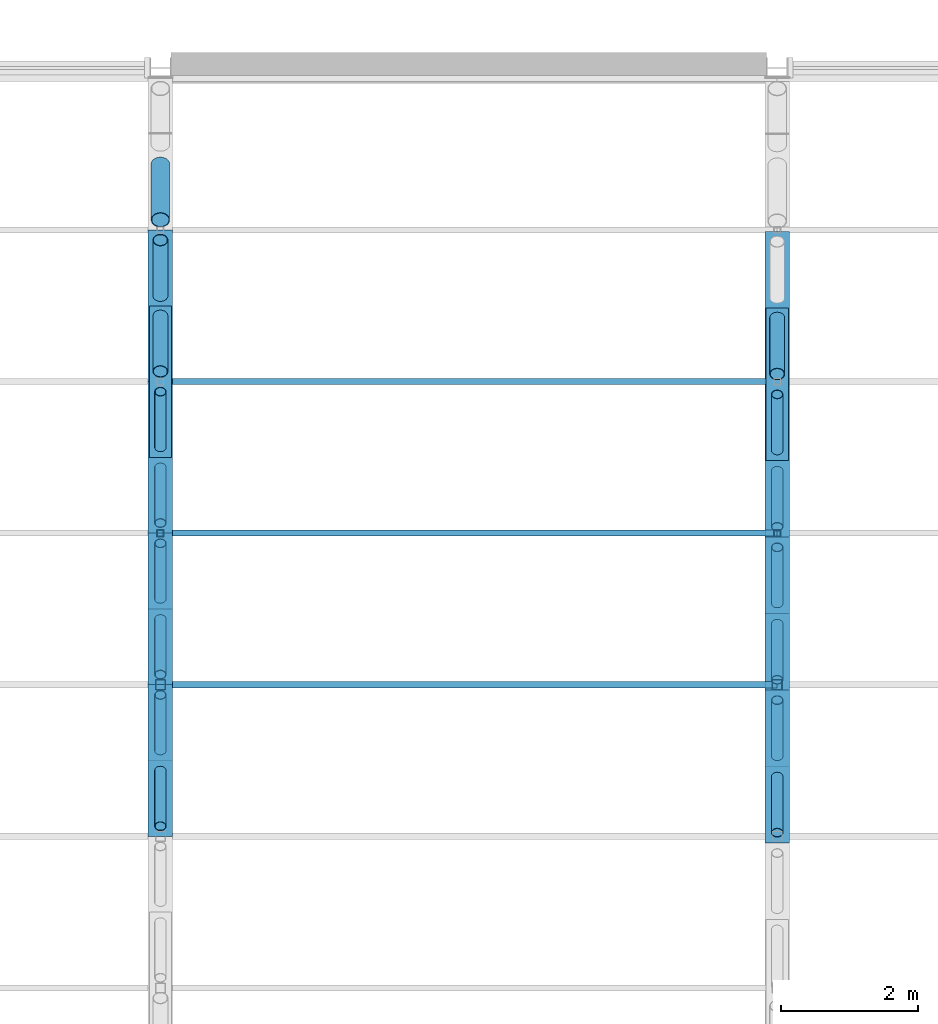
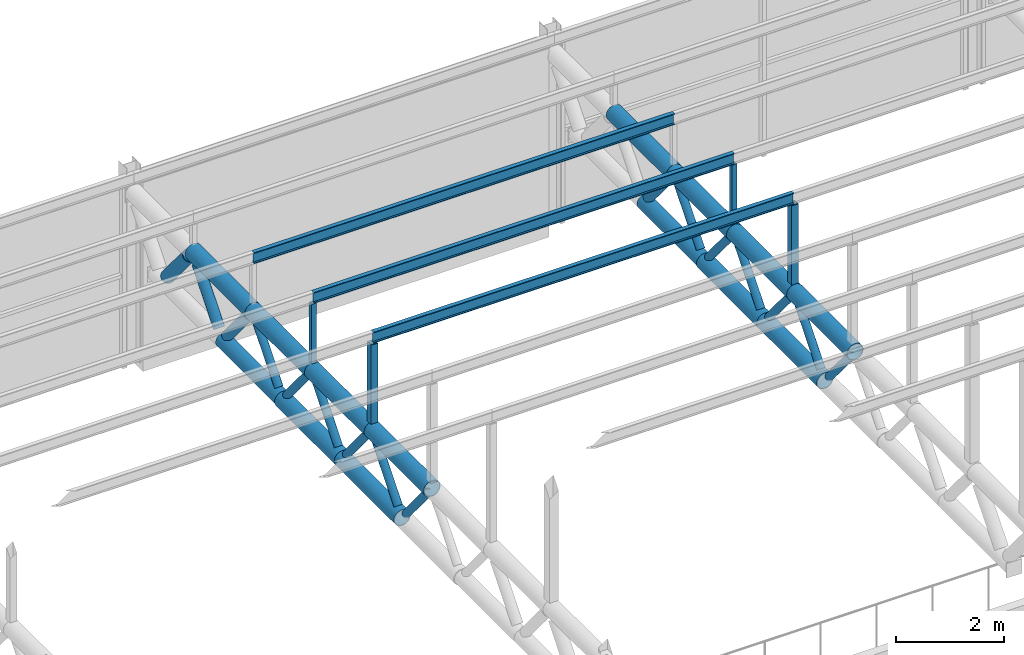
# One storey, part 35 of 138: 37 members.
"""IFC4 building model written with IfcOpenShell, lengths in metres."""

import ifcopenshell
import ifcopenshell.guid

model = None  # the IFC model being written
_history = None  # IfcOwnerHistory: only IFC2X3 demands one
_inside = {}  # id of a spatial element -> (the spatial element, [elements in it])
_under = {}  # id of a project, library or spatial element -> (it, [spatial elements below it])
_declared = {}  # id of a project -> (the project, [libraries it declares])
_typed = {}  # id of a type object -> (the type object, [elements of that type])
_made_of = {}  # id of a material, layer set ... -> (it, [elements and type objects made of it])


def new_model(schema):
    """Start an empty IFC model of exactly this schema.

    Asked for "IFC4X3", IfcOpenShell would pick the latest addendum, in which some entities
    have other attributes; the version numbers below select the first issue.
    IFC2X3 requires an IfcOwnerHistory on every rooted entity: one is made here for all.
    """
    global model, _history
    if schema == "IFC4X3":
        model = ifcopenshell.file(schema_version=(4, 3, 0, 0))
    else:
        model = ifcopenshell.file(schema=schema)
    _inside.clear()
    _under.clear()
    _declared.clear()
    _typed.clear()
    _made_of.clear()
    _history = None
    if model.schema == "IFC2X3":
        org = make("IfcOrganization", Name="unknown")
        user = make(
            "IfcPersonAndOrganization",
            ThePerson=make("IfcPerson", FamilyName="unknown"),
            TheOrganization=org,
        )
        app = make(
            "IfcApplication",
            ApplicationDeveloper=org,
            Version="unknown",
            ApplicationFullName="unknown",
            ApplicationIdentifier="unknown",
        )
        _history = make(
            "IfcOwnerHistory",
            OwningUser=user,
            OwningApplication=app,
            ChangeAction="ADDED",
            CreationDate=0,
        )
    return model


def make(cls, **values):
    """One entity of the class cls with the attributes given. An attribute that is None is left unset."""
    return model.create_entity(
        cls, **{name: value for name, value in values.items() if value is not None}
    )


def rooted(cls, **values):
    """An entity with a GlobalId (a new one), such as an element, a storey or a relation."""
    return make(cls, GlobalId=ifcopenshell.guid.new(), OwnerHistory=_history, **values)


def si_unit(unit_type, name, prefix=None):
    """IfcSIUnit, for example si_unit("LENGTHUNIT", "METRE", prefix="MILLI")."""
    return make("IfcSIUnit", UnitType=unit_type, Prefix=prefix, Name=name)


def assignment(units):
    """IfcUnitAssignment: the units of a project."""
    return None if units is None else make("IfcUnitAssignment", Units=units)


def point(xyz):
    """IfcCartesianPoint."""
    return None if xyz is None else make("IfcCartesianPoint", Coordinates=xyz)


def direction(xyz):
    """IfcDirection."""
    return None if xyz is None else make("IfcDirection", DirectionRatios=xyz)


def frame(location, z_axis=None, x_axis=None):
    """IfcAxis2Placement3D, a coordinate frame: its origin and axes. An axis left out is left unset."""
    return make(
        "IfcAxis2Placement3D",
        Location=point(location),
        Axis=direction(z_axis),
        RefDirection=direction(x_axis),
    )


def frame_2d(location, x_axis=None):
    """IfcAxis2Placement2D, a coordinate frame in the plane: its origin and x axis."""
    return make(
        "IfcAxis2Placement2D", Location=point(location), RefDirection=direction(x_axis)
    )


def origin():
    """The frame at (0, 0, 0) with its axes left unset."""
    return frame((0.0, 0.0, 0.0))


def origin_2d():
    """The frame at (0, 0) in the plane with its x axis left unset."""
    return frame_2d((0.0, 0.0))


def place(relative_to, where):
    """IfcLocalPlacement: puts the frame where relative to a parent placement (None: the world)."""
    return make(
        "IfcLocalPlacement", PlacementRelTo=relative_to, RelativePlacement=where
    )


def context(
    kind, dimensions, precision=None, world=None, true_north=None, identifier=None
):
    """IfcGeometricRepresentationContext, for example the 3D "Model" context."""
    return make(
        "IfcGeometricRepresentationContext",
        ContextIdentifier=identifier,
        ContextType=kind,
        CoordinateSpaceDimension=dimensions,
        Precision=precision,
        WorldCoordinateSystem=world,
        TrueNorth=true_north,
    )


def subcontext(parent, identifier, kind, view, scale=None):
    """IfcGeometricRepresentationSubContext, for example "Body" below "Model"."""
    return make(
        "IfcGeometricRepresentationSubContext",
        ContextIdentifier=identifier,
        ContextType=kind,
        ParentContext=parent,
        TargetScale=scale,
        TargetView=view,
    )


def project(units=None, contexts=None):
    """IfcProject with its units and contexts."""
    return rooted(
        "IfcProject",
        Name="project",
        RepresentationContexts=contexts,
        UnitsInContext=assignment(units),
    )


def spatial(cls, under=None, at=None, **own):
    """A site, building, storey or space (cls), placed at a placement, below another one or the project."""
    s = rooted(cls, ObjectPlacement=at, **own)
    if under is not None:
        _under.setdefault(under.id(), (under, []))[1].append(s)
    return s


def profile(cls, at=None, kind="AREA", **sizes):
    """A parametric profile (cls). Its sizes go by their IFC names, for example OverallWidth=200.0."""
    return make(cls, ProfileType=kind, Position=at, **sizes)


def hollow_rectangle(**sizes):
    """IfcRectangleHollowProfileDef."""
    return profile("IfcRectangleHollowProfileDef", **sizes)


def hollow_circle(**sizes):
    """IfcCircleHollowProfileDef."""
    return profile("IfcCircleHollowProfileDef", **sizes)


def i_section(**sizes):
    """IfcIShapeProfileDef."""
    return profile("IfcIShapeProfileDef", **sizes)


def extrude(swept, where, along, depth):
    """IfcExtrudedAreaSolid: the profile swept, set in the frame where, extruded along a direction by depth."""
    return make(
        "IfcExtrudedAreaSolid",
        SweptArea=swept,
        Position=where,
        ExtrudedDirection=direction(along),
        Depth=depth,
    )


def shape(context_of_items, identifier, shape_type, items):
    """IfcShapeRepresentation: the items that make up one representation, for example the "Body"."""
    return make(
        "IfcShapeRepresentation",
        ContextOfItems=context_of_items,
        RepresentationIdentifier=identifier,
        RepresentationType=shape_type,
        Items=items,
    )


def material(Name=None, Category=None):
    """IfcMaterial."""
    return make("IfcMaterial", Name=Name, Category=Category)


def material_profile(
    of_material, cross_section, Name=None, Category=None, Priority=None
):
    """IfcMaterialProfile: a cross section and its material."""
    return make(
        "IfcMaterialProfile",
        Name=Name,
        Material=of_material,
        Profile=cross_section,
        Priority=Priority,
        Category=Category,
    )


def profile_set(profiles, Name=None, composite=None):
    """IfcMaterialProfileSet."""
    return make(
        "IfcMaterialProfileSet",
        Name=Name,
        MaterialProfiles=profiles,
        CompositeProfile=composite,
    )


def made_of(thing, what):
    """Note that an element or type object is made of a material, layer set ...; save() writes the relation."""
    if what is not None:
        _made_of.setdefault(what.id(), (what, []))[1].append(thing)
    return thing


def type_object(cls, material=None, **own):
    """A type object (cls), such as IfcWallType, which elements share."""
    return made_of(rooted(cls, **own), material)


def element(
    cls,
    number,
    at=None,
    inside=None,
    cuts=None,
    type_object=None,
    material=None,
    context=None,
    identifier="Body",
    shape_type=None,
    held_by="IfcProductDefinitionShape",
    body=None,
    shapes=None,
    **own,
):
    """One element of the class cls, such as IfcWall. Its Tag is "e" and its number.

    at: its placement. inside: the storey or other place that contains it. cuts: it is an
    opening in that element (IfcRelVoidsElement). A single representation is given by context,
    identifier, shape_type and body (its items); several are given by shapes. held_by: the class
    of the entity that holds the representations. save() writes the other relations.
    """
    e = rooted(cls, Tag="e%d" % number, ObjectPlacement=at, **own)
    if body is not None:
        shapes = [shape(context, identifier, shape_type, body)]
    if shapes is not None:
        e.Representation = make(held_by, Representations=shapes)
    if inside is not None:
        _inside.setdefault(inside.id(), (inside, []))[1].append(e)
    if cuts is not None:
        rooted(
            "IfcRelVoidsElement", RelatingBuildingElement=cuts, RelatedOpeningElement=e
        )
    if type_object is not None:
        _typed.setdefault(type_object.id(), (type_object, []))[1].append(e)
    return made_of(e, material)


def aggregate(whole, parts):
    """IfcRelAggregates: a whole, such as a stair, and the parts it consists of."""
    return rooted("IfcRelAggregates", RelatingObject=whole, RelatedObjects=parts)


def save(model, path):
    """Write the relations noted so far, then the file.

    IfcRelAggregates (storeys below a building ...), IfcRelContainedInSpatialStructure (elements
    in a storey), IfcRelDefinesByType, IfcRelAssociatesMaterial and IfcRelDeclares: one each for
    every whole, place, type object, material and project.
    """
    for whole, parts in _under.values():
        aggregate(whole, parts)
    for where, things in _inside.values():
        rooted(
            "IfcRelContainedInSpatialStructure",
            RelatedElements=things,
            RelatingStructure=where,
        )
    for kind, things in _typed.values():
        rooted("IfcRelDefinesByType", RelatedObjects=things, RelatingType=kind)
    for what, things in _made_of.values():
        rooted("IfcRelAssociatesMaterial", RelatedObjects=things, RelatingMaterial=what)
    for by, libraries in _declared.values():
        rooted("IfcRelDeclares", RelatingContext=by, RelatedDefinitions=libraries)
    model.write(path)


model = new_model("IFC4")

# Units and contexts
model_context = context("Model", 3, precision=1e-05, world=origin(), true_north=direction((0.0, 1.0)))
body_context = subcontext(model_context, "Body", "Model", "MODEL_VIEW")
ifc_project = project(units=[si_unit("LENGTHUNIT", "METRE"), si_unit("AREAUNIT", "SQUARE_METRE"), si_unit("VOLUMEUNIT", "CUBIC_METRE"), si_unit("PLANEANGLEUNIT", "RADIAN"), si_unit("MASSUNIT", "GRAM", prefix="KILO")], contexts=[model_context])

# Site, building, storey
site_placement = place(None, origin())
site = spatial("IfcSite", under=ifc_project, at=site_placement, CompositionType="ELEMENT")
building_placement = place(site_placement, origin())
building = spatial("IfcBuilding", under=site, at=building_placement, Name="Corbel Yard City Hall", CompositionType="ELEMENT")
storey_placement = place(building_placement, frame((0.0, 0.0, 10.5)))
storey = spatial("IfcBuildingStorey", under=building, at=storey_placement, Name="L02", CompositionType="ELEMENT", Elevation=10.5)

# Members
ifc_material_1 = material(Name="Steel Grade C350L0", Category="steel")
ifc_material_profile_1 = material_profile(ifc_material_1, hollow_circle(Radius=0.161865234375, WallThickness=0.0126953125, at=origin_2d()), Name="323.9x12.7CHS")
ifc_profile_set_1 = profile_set([ifc_material_profile_1], Name="Steel Grade C350L0")
member_type_1 = type_object("IfcMemberType", Name="Hall roof truss bottom chord 323.9x12.7CHS", PredefinedType="CHORD", material=ifc_profile_set_1)
member_1_placement = place(storey_placement, frame((36.0, 21.31787109375, 2.59228515625), z_axis=(0.0, 1.0, 0.0), x_axis=(-1.0, 0.0, 0.0)))
element("IfcMember", 1, at=member_1_placement, inside=storey, type_object=member_type_1, Name="Hall roof truss bottom chord 323.9x12.7CHS TC2", PredefinedType="CHORD", context=body_context, shape_type="SweptSolid", body=[
    extrude(hollow_circle(Radius=0.161865234375, WallThickness=0.0126953125, at=origin_2d()), origin(), (0.0, 0.0, 1.0), 2.2119140625),
])
member_2_placement = place(storey_placement, frame((45.0, 21.270263671875, 2.59228515625), z_axis=(0.0, 1.0, 0.0), x_axis=(-1.0, 0.0, 0.0)))
element("IfcMember", 2, at=member_2_placement, inside=storey, type_object=member_type_1, Name="Hall roof truss bottom chord 323.9x12.7CHS TC2", PredefinedType="CHORD", context=body_context, shape_type="SweptSolid", body=[
    extrude(hollow_circle(Radius=0.161865234375, WallThickness=0.0126953125, at=origin_2d()), origin(), (0.0, 0.0, 1.0), 2.230712890625),
])
ifc_material_profile_2 = material_profile(ifc_material_1, hollow_circle(Radius=0.177734375, WallThickness=0.0126953125, at=origin_2d()), Name="355.6x12.7CHS")
ifc_profile_set_2 = profile_set([ifc_material_profile_2], Name="Steel Grade C350L0")
member_type_2 = type_object("IfcMemberType", Name="Hall roof truss bottom chord 355.6x12.7CHS", PredefinedType="CHORD", material=ifc_profile_set_2)
for number, where, z_axis, x_axis, name in (
    (3, (36.0, 16.89404296875, 2.59228515625), (0.0, 1.0, 0.0), (-1.0, 0.0, 0.0), "Hall roof truss bottom chord 355.6x12.7CHS TC3"),
    (4, (36.0, 19.10595703125, 2.59228515625), (0.0, 1.0, 0.0), (-1.0, 0.0, 0.0), "Hall roof truss bottom chord 355.6x12.7CHS TC3"),
):
    element("IfcMember", number, at=place(storey_placement, frame(where, z_axis=z_axis, x_axis=x_axis)), inside=storey, type_object=member_type_2, Name=name, PredefinedType="CHORD", context=body_context, shape_type="SweptSolid", body=[
        extrude(hollow_circle(Radius=0.177734375, WallThickness=0.0126953125, at=origin_2d()), origin(), (0.0, 0.0, 1.0), 2.2119140625),
    ])
for number, where, z_axis, x_axis, name in (
    (5, (45.0, 16.808349609375, 2.59228515625), (0.0, 1.0, 0.0), (-1.0, 0.0, 0.0), "Hall roof truss bottom chord 355.6x12.7CHS TC3"),
    (6, (45.0, 19.039306640625, 2.59228515625), (0.0, 1.0, 0.0), (-1.0, 0.0, 0.0), "Hall roof truss bottom chord 355.6x12.7CHS TC3"),
):
    element("IfcMember", number, at=place(storey_placement, frame(where, z_axis=z_axis, x_axis=x_axis)), inside=storey, type_object=member_type_2, Name=name, PredefinedType="CHORD", context=body_context, shape_type="SweptSolid", body=[
        extrude(hollow_circle(Radius=0.177734375, WallThickness=0.0126953125, at=origin_2d()), origin(), (0.0, 0.0, 1.0), 2.23095703125),
    ])
ifc_material_profile_3 = material_profile(ifc_material_1, hollow_circle(Radius=0.084228515625, WallThickness=0.007080078125, at=origin_2d()), Name="168.3x7.1CHS")
ifc_profile_set_3 = profile_set([ifc_material_profile_3], Name="Steel Grade C350L0")
member_type_3 = type_object("IfcMemberType", Name="Hall roof truss diagonal 168.3x7.1CHS", PredefinedType="STRUT", material=ifc_profile_set_3)
member_3_placement = place(storey_placement, frame((36.0, 15.93603515625, 3.744384765625), z_axis=(0.0, 0.639407153698, -0.768868318894), x_axis=(-1.0, 0.0, 0.0)))
element("IfcMember", 7, at=member_3_placement, inside=storey, type_object=member_type_3, Name="Hall roof truss diagonal 168.3x7.1CHS TD3", PredefinedType="STRUT", context=body_context, shape_type="SweptSolid", body=[
    extrude(hollow_circle(Radius=0.084228515625, WallThickness=0.007080078125, at=origin_2d()), origin(), (0.0, 0.0, 1.0), 1.267333984375),
])
for number, where, z_axis, x_axis, name in (
    (8, (36.0, 17.0419921875, 2.77001953125), (0.0, 0.639293245648, 0.768963032966), (-1.0, 0.0, 0.0), "Hall roof truss diagonal 168.3x7.1CHS TD3"),
    (9, (36.0, 18.14794921875, 3.744384765625), (0.0, 0.639293245648, -0.768963032966), (-1.0, 0.0, 0.0), "Hall roof truss diagonal 168.3x7.1CHS TD3"),
):
    element("IfcMember", number, at=place(storey_placement, frame(where, z_axis=z_axis, x_axis=x_axis)), inside=storey, type_object=member_type_3, Name=name, PredefinedType="STRUT", context=body_context, shape_type="SweptSolid", body=[
        extrude(hollow_circle(Radius=0.084228515625, WallThickness=0.007080078125, at=origin_2d()), origin(), (0.0, 0.0, 1.0), 1.26708984375),
    ])
for number, where, z_axis, x_axis, name in (
    (10, (36.0, 19.253662109375, 2.77001953125), (0.0, 0.639407153698, 0.768868318894), (-1.0, 0.0, 0.0), "Hall roof truss diagonal 168.3x7.1CHS TD3"),
    (11, (36.0, 20.359619140625, 3.744384765625), (0.0, 0.639407153698, -0.768868318894), (-1.0, 0.0, 0.0), "Hall roof truss diagonal 168.3x7.1CHS TD3"),
    (12, (36.0, 21.465576171875, 2.77001953125), (0.0, 0.639407153698, 0.768868318894), (-1.0, 0.0, 0.0), "Hall roof truss diagonal 168.3x7.1CHS TD3"),
):
    element("IfcMember", number, at=place(storey_placement, frame(where, z_axis=z_axis, x_axis=x_axis)), inside=storey, type_object=member_type_3, Name=name, PredefinedType="STRUT", context=body_context, shape_type="SweptSolid", body=[
        extrude(hollow_circle(Radius=0.084228515625, WallThickness=0.007080078125, at=origin_2d()), origin(), (0.0, 0.0, 1.0), 1.267333984375),
    ])
for number, where, z_axis, x_axis, name in (
    (13, (45.0, 15.842041015625, 3.744384765625), (0.0, 0.64257954038, -0.766218985855), (-1.0, 0.0, 0.0), "Hall roof truss diagonal 168.3x7.1CHS TD3"),
    (14, (45.0, 16.95751953125, 2.77001953125), (0.0, 0.64257954038, 0.766218985855), (-1.0, 0.0, 0.0), "Hall roof truss diagonal 168.3x7.1CHS TD3"),
    (15, (45.0, 18.07275390625, 3.744384765625), (0.0, 0.642692233301, -0.766124463292), (-1.0, 0.0, 0.0), "Hall roof truss diagonal 168.3x7.1CHS TD3"),
    (16, (45.0, 19.188232421875, 2.77001953125), (0.0, 0.642692233301, 0.766124463292), (-1.0, 0.0, 0.0), "Hall roof truss diagonal 168.3x7.1CHS TD3"),
    (17, (45.0, 20.3037109375, 3.744384765625), (0.0, 0.642692233301, -0.766124463292), (-1.0, 0.0, 0.0), "Hall roof truss diagonal 168.3x7.1CHS TD3"),
    (18, (45.0, 21.419189453125, 2.77001953125), (0.0, 0.642692233301, 0.766124463292), (-1.0, 0.0, 0.0), "Hall roof truss diagonal 168.3x7.1CHS TD3"),
):
    element("IfcMember", number, at=place(storey_placement, frame(where, z_axis=z_axis, x_axis=x_axis)), inside=storey, type_object=member_type_3, Name=name, PredefinedType="STRUT", context=body_context, shape_type="SweptSolid", body=[
        extrude(hollow_circle(Radius=0.084228515625, WallThickness=0.007080078125, at=origin_2d()), origin(), (0.0, 0.0, 1.0), 1.271728515625),
    ])
ifc_material_profile_4 = material_profile(ifc_material_1, hollow_circle(Radius=0.109619140625, WallThickness=0.00830078125, at=origin_2d()), Name="219.1x8.2CHS")
ifc_profile_set_4 = profile_set([ifc_material_profile_4], Name="Steel Grade C350L0")
member_type_4 = type_object("IfcMemberType", Name="Hall roof truss diagonal 219.1x8.2CHS", PredefinedType="STRUT", material=ifc_profile_set_4)
for number, where, z_axis, x_axis, name in (
    (19, (36.0, 22.571533203125, 3.744384765625), (0.0, 0.639407153698, -0.768868318894), (-1.0, 0.0, 0.0), "Hall roof truss diagonal 219.1x8.2CHS TD2"),
    (20, (36.0, 23.677490234375, 2.77001953125), (0.0, 0.639407153698, 0.768868318894), (-1.0, 0.0, 0.0), "Hall roof truss diagonal 219.1x8.2CHS TD2"),
):
    element("IfcMember", number, at=place(storey_placement, frame(where, z_axis=z_axis, x_axis=x_axis)), inside=storey, type_object=member_type_4, Name=name, PredefinedType="STRUT", context=body_context, shape_type="SweptSolid", body=[
        extrude(hollow_circle(Radius=0.109619140625, WallThickness=0.00830078125, at=origin_2d()), origin(), (0.0, 0.0, 1.0), 1.267333984375),
    ])
member_4_placement = place(storey_placement, frame((45.0, 22.53466796875, 3.744384765625), z_axis=(0.0, 0.642692233301, -0.766124463292), x_axis=(-1.0, 0.0, 0.0)))
element("IfcMember", 21, at=member_4_placement, inside=storey, type_object=member_type_4, Name="Hall roof truss diagonal 219.1x8.2CHS TD2", PredefinedType="STRUT", context=body_context, shape_type="SweptSolid", body=[
    extrude(hollow_circle(Radius=0.109619140625, WallThickness=0.00830078125, at=origin_2d()), origin(), (0.0, 0.0, 1.0), 1.271728515625),
])
ifc_material_profile_5 = material_profile(ifc_material_1, hollow_circle(Radius=0.136474609375, WallThickness=0.00927734375, at=origin_2d()), Name="273.1x9.3CHS")
ifc_profile_set_5 = profile_set([ifc_material_profile_5], Name="Steel Grade C350L0")
member_type_5 = type_object("IfcMemberType", Name="Hall roof truss diagonal 273.1x9.3CHS", PredefinedType="STRUT", material=ifc_profile_set_5)
member_5_placement = place(storey_placement, frame((36.0, 24.783447265625, 3.744384765625), z_axis=(0.0, 0.639407153698, -0.768868318894), x_axis=(-1.0, 0.0, 0.0)))
element("IfcMember", 22, at=member_5_placement, inside=storey, type_object=member_type_5, Name="Hall roof truss diagonal 273.1x9.3CHS TD1", PredefinedType="STRUT", context=body_context, shape_type="SweptSolid", body=[
    extrude(hollow_circle(Radius=0.136474609375, WallThickness=0.00927734375, at=origin_2d()), origin(), (0.0, 0.0, 1.0), 1.267333984375),
])
ifc_material_profile_6 = material_profile(ifc_material_1, hollow_circle(Radius=0.177734375, WallThickness=0.0126953125, at=origin_2d()), Name="355.6x12.7CHS")
ifc_profile_set_6 = profile_set([ifc_material_profile_6], Name="Steel Grade C350L0")
member_type_6 = type_object("IfcMemberType", Name="Hall roof truss top chord 355.6x12.7CHS", PredefinedType="CHORD", material=ifc_profile_set_6)
for number, where, z_axis, x_axis, name in (
    (23, (36.0, 15.7880859375, 3.922119140625), (0.0, 1.0, 0.0), (-1.0, 0.0, 0.0), "Hall roof truss top chord 355.6x12.7CHS TC1"),
    (24, (36.0, 18.0, 3.922119140625), (0.0, 1.0, 0.0), (-1.0, 0.0, 0.0), "Hall roof truss top chord 355.6x12.7CHS TC1"),
    (25, (36.0, 20.2119140625, 3.922119140625), (0.0, 1.0, 0.0), (-1.0, 0.0, 0.0), "Hall roof truss top chord 355.6x12.7CHS TC1"),
    (26, (36.0, 22.423828125, 3.922119140625), (0.0, 1.0, 0.0), (-1.0, 0.0, 0.0), "Hall roof truss top chord 355.6x12.7CHS TC1"),
):
    element("IfcMember", number, at=place(storey_placement, frame(where, z_axis=z_axis, x_axis=x_axis)), inside=storey, type_object=member_type_6, Name=name, PredefinedType="CHORD", context=body_context, shape_type="SweptSolid", body=[
        extrude(hollow_circle(Radius=0.177734375, WallThickness=0.0126953125, at=origin_2d()), origin(), (0.0, 0.0, 1.0), 2.2119140625),
    ])
for number, where, z_axis, x_axis, name in (
    (27, (45.0, 15.69287109375, 3.922119140625), (0.0, 1.0, 0.0), (-1.0, 0.0, 0.0), "Hall roof truss top chord 355.6x12.7CHS TC1"),
    (28, (45.0, 17.923828125, 3.922119140625), (0.0, 1.0, 0.0), (-1.0, 0.0, 0.0), "Hall roof truss top chord 355.6x12.7CHS TC1"),
    (29, (45.0, 20.15478515625, 3.922119140625), (0.0, 1.0, 0.0), (-1.0, 0.0, 0.0), "Hall roof truss top chord 355.6x12.7CHS TC1"),
):
    element("IfcMember", number, at=place(storey_placement, frame(where, z_axis=z_axis, x_axis=x_axis)), inside=storey, type_object=member_type_6, Name=name, PredefinedType="CHORD", context=body_context, shape_type="SweptSolid", body=[
        extrude(hollow_circle(Radius=0.177734375, WallThickness=0.0126953125, at=origin_2d()), origin(), (0.0, 0.0, 1.0), 2.23095703125),
    ])
member_6_placement = place(storey_placement, frame((45.0, 22.3857421875, 3.922119140625), z_axis=(0.0, 1.0, 0.0), x_axis=(-1.0, 0.0, 0.0)))
element("IfcMember", 30, at=member_6_placement, inside=storey, type_object=member_type_6, Name="Hall roof truss top chord 355.6x12.7CHS TC1", PredefinedType="CHORD", context=body_context, shape_type="SweptSolid", body=[
    extrude(hollow_circle(Radius=0.177734375, WallThickness=0.0126953125, at=origin_2d()), origin(), (0.0, 0.0, 1.0), 2.230712890625),
])
ifc_material_2 = material(Name="Steel Grade 300 (300 MPa yield)", Category="steel")
ifc_material_profile_7 = material_profile(ifc_material_2, i_section(OverallWidth=0.090087890625, OverallDepth=0.25, WebThickness=0.008056640625, FlangeThickness=0.014892578125, at=origin_2d()), Name="250PFC")
ifc_profile_set_7 = profile_set([ifc_material_profile_7], Name="Steel Grade 300 (300 MPa yield)")
member_type_7 = type_object("IfcMemberType", Name="Purlin 250PFC", PredefinedType="PURLIN", material=ifc_profile_set_7)
for number, where, z_axis, x_axis, name in (
    (31, (36.0, 18.0, 6.01611328125), (1.0, 0.0, 0.0), (0.0, 1.0, 0.0), "Purlin 250PFC PU1"),
    (32, (36.0, 20.2119140625, 5.57373046875), (1.0, 0.0, 0.0), (0.0, 1.0, 0.0), "Purlin 250PFC PU1"),
    (33, (36.0, 22.423828125, 5.13134765625), (1.0, 0.0, 0.0), (0.0, 1.0, 0.0), "Purlin 250PFC PU1"),
):
    element("IfcMember", number, at=place(storey_placement, frame(where, z_axis=z_axis, x_axis=x_axis)), inside=storey, type_object=member_type_7, Name=name, PredefinedType="PURLIN", context=body_context, shape_type="SweptSolid", body=[
        extrude(i_section(OverallWidth=0.090087890625, OverallDepth=0.25, WebThickness=0.008056640625, FlangeThickness=0.014892578125, at=origin_2d()), origin(), (0.0, 0.0, 1.0), 9.0),
    ])
ifc_material_3 = material(Name="Steel Grade C450L0", Category="steel")
ifc_material_profile_8 = material_profile(ifc_material_3, hollow_rectangle(XDim=0.10009765625, YDim=0.10009765625, WallThickness=0.006103515625, at=origin_2d()), Name="100x100x6.0SHS")
ifc_profile_set_8 = profile_set([ifc_material_profile_8], Name="Steel Grade C450L0")
member_type_8 = type_object("IfcMemberType", Name="Roof post 100x100x6.0SHS", PredefinedType="POST", material=ifc_profile_set_8)
for number, where, z_axis, x_axis, name in (
    (34, (36.0, 20.2119140625, 4.10009765625), (0.0, 0.0, 1.0), (1.0, 0.0, 0.0), "Roof post 100x100x6.0SHS RP3"),
    (35, (45.0, 20.2119140625, 4.10009765625), (0.0, 0.0, 1.0), (1.0, 0.0, 0.0), "Roof post 100x100x6.0SHS RP3"),
):
    element("IfcMember", number, at=place(storey_placement, frame(where, z_axis=z_axis, x_axis=x_axis)), inside=storey, type_object=member_type_8, Name=name, PredefinedType="POST", context=body_context, shape_type="SweptSolid", body=[
        extrude(hollow_rectangle(XDim=0.10009765625, YDim=0.10009765625, WallThickness=0.006103515625, at=origin_2d()), origin(), (0.0, 0.0, 1.0), 1.3486328125),
    ])
ifc_material_profile_9 = material_profile(ifc_material_3, hollow_rectangle(XDim=0.14990234375, YDim=0.14990234375, WallThickness=0.009033203125, at=origin_2d()), Name="150x150x9.0SHS")
ifc_profile_set_9 = profile_set([ifc_material_profile_9], Name="Steel Grade C450L0")
member_type_9 = type_object("IfcMemberType", Name="Roof post 150x150x9.0SHS", PredefinedType="POST", material=ifc_profile_set_9)
for number, where, z_axis, x_axis, name in (
    (36, (36.0, 18.0, 4.10009765625), (0.0, 0.0, 1.0), (1.0, 0.0, 0.0), "Roof post 150x150x9.0SHS RP2"),
    (37, (45.0, 18.0, 4.10009765625), (0.0, 0.0, 1.0), (1.0, 0.0, 0.0), "Roof post 150x150x9.0SHS RP2"),
):
    element("IfcMember", number, at=place(storey_placement, frame(where, z_axis=z_axis, x_axis=x_axis)), inside=storey, type_object=member_type_9, Name=name, PredefinedType="POST", context=body_context, shape_type="SweptSolid", body=[
        extrude(hollow_rectangle(XDim=0.14990234375, YDim=0.14990234375, WallThickness=0.009033203125, at=origin_2d()), origin(), (0.0, 0.0, 1.0), 1.791015625),
    ])

save(model, "model.ifc")
